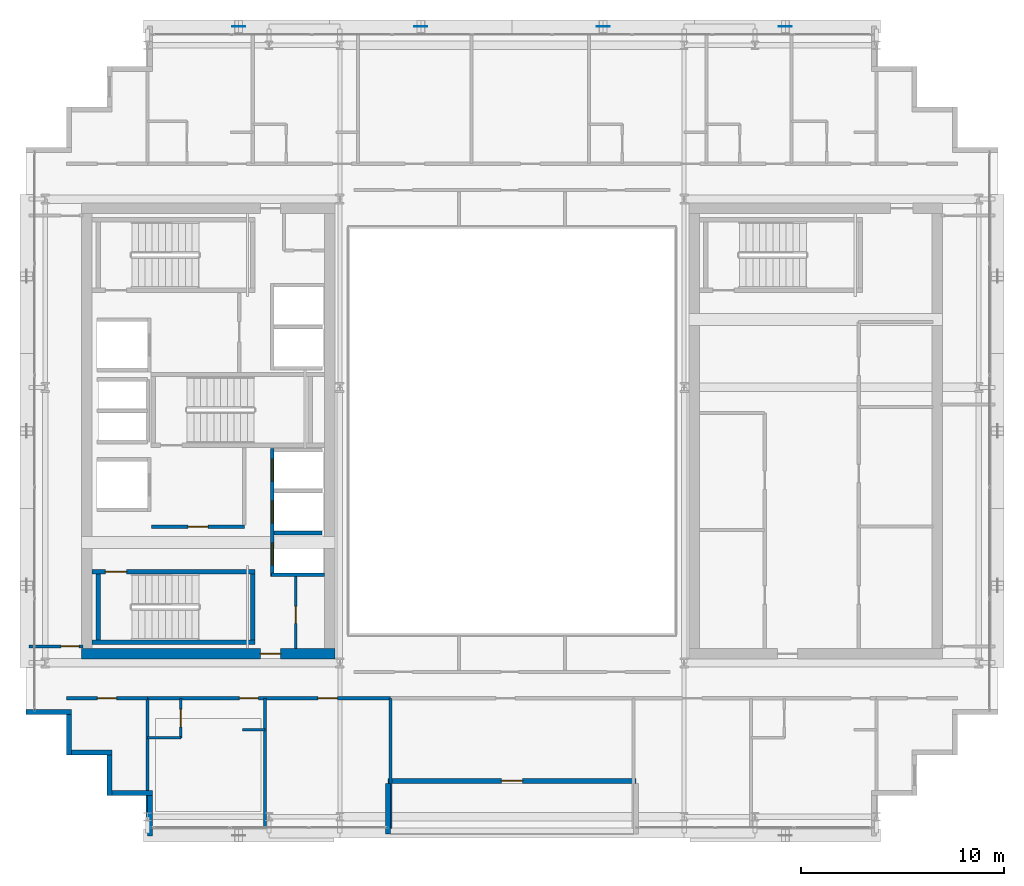
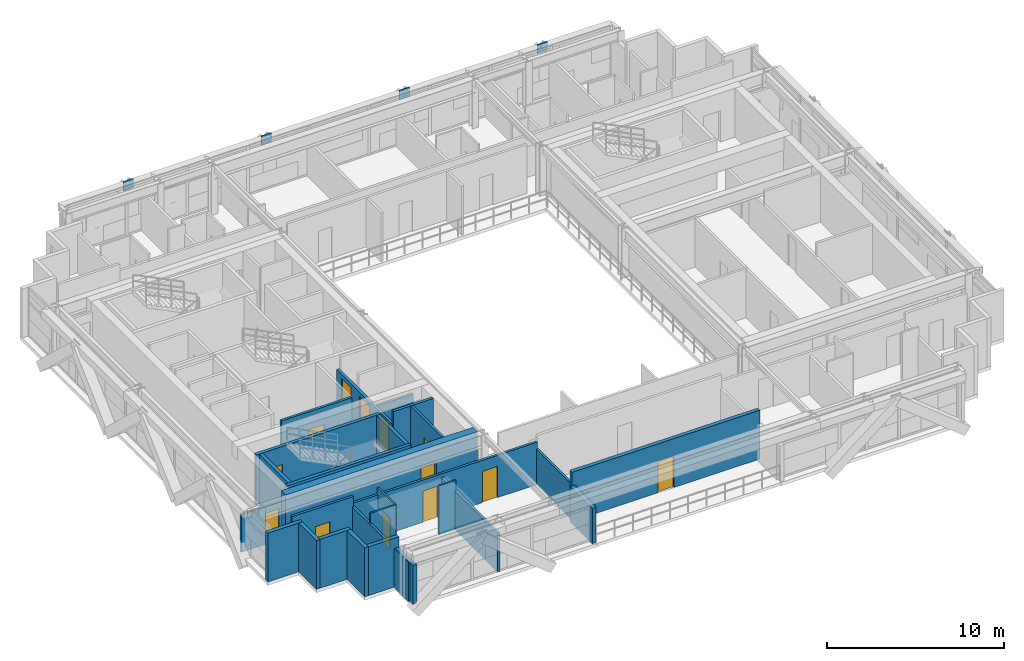
# One storey, part 23 of 31: 27 walls, 13 doors, 4 plates, 13 openings.
"""IFC4 building model written with IfcOpenShell, lengths in metres."""

from ifc_helpers import new_model, si_unit, direction, frame, frame_2d, origin, origin_2d, place, context, subcontext, project, spatial, rectangle, extrude, source, transform, mapped, material, layer, layer_set, type_object, element, fill, save


model = new_model("IFC4")

# Units and contexts
model_context = context("Model", 3, precision=1e-05, world=origin(), true_north=direction((0.0, 1.0)))
body_context = subcontext(model_context, "Body", "Model", "MODEL_VIEW")
ifc_project = project(units=[si_unit("LENGTHUNIT", "METRE"), si_unit("AREAUNIT", "SQUARE_METRE"), si_unit("VOLUMEUNIT", "CUBIC_METRE"), si_unit("PLANEANGLEUNIT", "RADIAN"), si_unit("MASSUNIT", "GRAM", prefix="KILO")], contexts=[model_context])

# Site, building, storey
site_placement = place(None, origin())
site = spatial("IfcSite", under=ifc_project, at=site_placement, CompositionType="ELEMENT")
building_placement = place(site_placement, origin())
building = spatial("IfcBuilding", under=site, at=building_placement, Name="Ocotamira Hotel", CompositionType="ELEMENT")
storey_placement = place(building_placement, frame((0.0, 0.0, 188.39990234375)))
storey = spatial("IfcBuildingStorey", under=building, at=storey_placement, Name="L47", CompositionType="ELEMENT", Elevation=188.39990234375)

# Plates
ifc_material_1 = material(Name="Pale-metal coated steel ASTM A572 Grade 50", Category="steel")
ifc_layer_1 = layer(ifc_material_1, 0.0400390625)
ifc_layer_set_1 = layer_set([ifc_layer_1], Name="Pale-metal coated steel ASTM A572 Grade 50")
plate_type = type_object("IfcPlateType", Name="PLT-GUSSET-40", PredefinedType="SHEET", material=ifc_layer_set_1)
shared_shape_1 = source(origin(), body_context, "Body", "SweptSolid", [
    extrude(rectangle(XDim=0.64990234375, YDim=0.0400390625, at=origin_2d()), origin(), (0.0, 0.0, 1.0), 0.64990234375),
])
for number, where, z_axis, x_axis, name in (
    (1, (18.5, 45.969970703125, 2.795166015625), (0.0, 0.0, 1.0), (1.0, 0.0, 0.0), "L47 Exoskeleton Diagrid N0.1 End Gusset B"),
    (2, (27.5, 45.969970703125, 2.795166015625), (0.0, 0.0, 1.0), (1.0, 0.0, 0.0), "L47 Exoskeleton Diagrid N1.1 End Gusset B"),
    (3, (36.5, 45.969970703125, 2.795166015625), (0.0, 0.0, 1.0), (1.0, 0.0, 0.0), "L47 Exoskeleton Diagrid N2.1 End Gusset B"),
    (4, (45.5, 45.969970703125, 2.795166015625), (0.0, 0.0, 1.0), (1.0, 0.0, 0.0), "L47 Exoskeleton Diagrid N3.1 End Gusset B"),
):
    element("IfcPlate", number, at=place(storey_placement, frame(where, z_axis=z_axis, x_axis=x_axis)), inside=storey, type_object=plate_type, Name=name, PredefinedType="SHEET", context=body_context, shape_type="MappedRepresentation", body=[
        mapped(shared_shape_1, transform((0.0, 0.0, 0.0), scale=1.0)),
    ])

# Wall, opening, door
ifc_material_2 = material(Name="Concrete C50/60", Category="concrete")
ifc_layer_2 = layer(ifc_material_2, 0.5)
ifc_layer_set_2 = layer_set([ifc_layer_2], Name="Concrete C50/60")
wall_type_1 = type_object("IfcWallType", Name="WL-CORE-500", PredefinedType="SHEAR", material=ifc_layer_set_2)
wall_1_placement = place(storey_placement, frame((10.75, 15.0, 0.0), z_axis=(0.0, 0.0, 1.0), x_axis=(1.0, 0.0, 0.0)))
wall_1 = element("IfcWall", 5, at=wall_1_placement, inside=storey, type_object=wall_type_1, Name="L47 Shear Core Wall WCORE-S", PredefinedType="SHEAR", context=body_context, shape_type="SweptSolid", body=[
    extrude(rectangle(XDim=12.5, YDim=0.5, at=frame_2d((6.25, 0.0))), origin(), (0.0, 0.0, 1.0), 3.3701171875),
])
opening_1_placement = place(wall_1_placement, frame((8.830078125, 0.0, 0.0)))
opening_1 = element("IfcOpeningElement", 6, at=opening_1_placement, cuts=wall_1, Name="Opening D-FR2", PredefinedType="OPENING", context=body_context, shape_type="SweptSolid", body=[
    extrude(rectangle(XDim=1.0, YDim=2.14990234375, at=frame_2d((0.5, 1.074951171875))), frame((0.0, 0.260009765625, 0.0), z_axis=(0.0, -1.0, 0.0), x_axis=(1.0, 0.0, 0.0)), (0.0, 0.0, 1.0), 0.52001953125),
])
ifc_material_3 = material(Name="Fire-rated acoustic timber-veneer door", Category="wood")
door_type_1 = type_object("IfcDoorType", Name="DR-FIRE-1000", OperationType="NOTDEFINED", PredefinedType="DOOR", material=ifc_material_3)
shared_shape_2 = source(origin(), body_context, "Body", "SweptSolid", [
    extrude(rectangle(XDim=1.0, YDim=2.14990234375, at=frame_2d((0.5, 1.074951171875))), frame((0.0, 0.02490234375, 0.0), z_axis=(0.0, -1.0, 0.0), x_axis=(1.0, 0.0, 0.0)), (0.0, 0.0, 1.0), 0.050048828125),
])
door_1_placement = place(opening_1_placement, origin())
door_1 = element("IfcDoor", 7, at=door_1_placement, inside=storey, type_object=door_type_1, Name="L47 Door ID-L47-WLOB-S-D [ID-L47-WLOB-S-D]", OperationType="SINGLE_SWING_LEFT", OverallHeight=2.14990234375, OverallWidth=1.0, PredefinedType="DOOR", context=body_context, shape_type="MappedRepresentation", body=[
    mapped(shared_shape_2, transform((0.0, 0.0, 0.0), scale=1.0)),
])
fill(opening_1, door_1)

# Walls
ifc_material_4 = material(Name="Precast concrete C45/55", Category="concrete")
ifc_layer_3 = layer(ifc_material_4, 0.25)
ifc_layer_set_3 = layer_set([ifc_layer_3], Name="Precast concrete C45/55")
wall_type_2 = type_object("IfcWallType", Name="WL-EXT-SER-250", PredefinedType="SOLIDWALL", material=ifc_layer_set_3)
wall_2_placement = place(storey_placement, frame((8.0, 12.125, 0.0), z_axis=(0.0, 0.0, 1.0), x_axis=(1.0, 0.0, 0.0)))
element("IfcWall", 8, at=wall_2_placement, inside=storey, type_object=wall_type_2, Name="L47 Serrated Corner Wall 19", PredefinedType="SOLIDWALL", context=body_context, shape_type="SweptSolid", body=[
    extrude(rectangle(XDim=2.25, YDim=0.25, at=frame_2d((1.125, 0.0))), origin(), (0.0, 0.0, 1.0), 3.3701171875),
])
for number, where, z_axis, x_axis, name in (
    (9, (10.125, 12.0, 0.0), (0.0, 0.0, 1.0), (0.0, -1.0, 0.0), "L47 Serrated Corner Wall 20"),
    (10, (10.25, 10.125, 0.0), (0.0, 0.0, 1.0), (1.0, 0.0, 0.0), "L47 Serrated Corner Wall 21"),
    (11, (12.125, 10.0, 0.0), (0.0, 0.0, 1.0), (0.0, -1.0, 0.0), "L47 Serrated Corner Wall 22"),
    (12, (12.25, 8.125, 0.0), (0.0, 0.0, 1.0), (1.0, 0.0, 0.0), "L47 Serrated Corner Wall 23"),
):
    element("IfcWall", number, at=place(storey_placement, frame(where, z_axis=z_axis, x_axis=x_axis)), inside=storey, type_object=wall_type_2, Name=name, PredefinedType="SOLIDWALL", context=body_context, shape_type="SweptSolid", body=[
        extrude(rectangle(XDim=2.0, YDim=0.25, at=frame_2d((1.0, 0.0))), origin(), (0.0, 0.0, 1.0), 3.3701171875),
    ])
wall_3_placement = place(storey_placement, frame((14.125, 8.0, 0.0), z_axis=(0.0, 0.0, 1.0), x_axis=(0.0, -1.0, 0.0)))
element("IfcWall", 13, at=wall_3_placement, inside=storey, type_object=wall_type_2, Name="L47 Serrated Corner Wall 24", PredefinedType="SOLIDWALL", context=body_context, shape_type="SweptSolid", body=[
    extrude(rectangle(XDim=2.0, YDim=0.25, at=frame_2d((1.0, 0.0))), origin(), (0.0, 0.0, 1.0), 2.677001953125),
])

# Wall, opening, door
wall_4_placement = place(storey_placement, frame((25.875, 8.72509765625, 0.0), z_axis=(0.0, 0.0, 1.0), x_axis=(1.0, 0.0, 0.0)))
wall_4 = element("IfcWall", 14, at=wall_4_placement, inside=storey, type_object=wall_type_2, Name="L47 Sky Terrace Back Wall 1", PredefinedType="SOLIDWALL", context=body_context, shape_type="SweptSolid", body=[
    extrude(rectangle(XDim=12.25, YDim=0.25, at=frame_2d((6.125, 0.0))), origin(), (0.0, 0.0, 1.0), 3.3701171875),
])
opening_2_placement = place(wall_4_placement, frame((5.60009765625, 0.0, 0.0)))
opening_2 = element("IfcOpeningElement", 15, at=opening_2_placement, cuts=wall_4, Name="Opening ED-3", PredefinedType="OPENING", context=body_context, shape_type="SweptSolid", body=[
    extrude(rectangle(XDim=1.050048828125, YDim=2.14990234375, at=frame_2d((0.52490234375, 1.074951171875))), frame((0.0, 0.135009765625, 0.0), z_axis=(0.0, -1.0, 0.0), x_axis=(1.0, 0.0, 0.0)), (0.0, 0.0, 1.0), 0.27001953125),
])
ifc_material_5 = material(Name="Thermally broken aluminium glazed door", Category="aluminium")
door_type_2 = type_object("IfcDoorType", Name="DR-TERR-1050", OperationType="NOTDEFINED", PredefinedType="DOOR", material=ifc_material_5)
shared_shape_3 = source(origin(), body_context, "Body", "SweptSolid", [
    extrude(rectangle(XDim=1.050048828125, YDim=2.14990234375, at=frame_2d((0.52490234375, 1.074951171875))), frame((0.0, 0.02490234375, 0.0), z_axis=(0.0, -1.0, 0.0), x_axis=(1.0, 0.0, 0.0)), (0.0, 0.0, 1.0), 0.050048828125),
])
door_2_placement = place(opening_2_placement, origin())
door_2 = element("IfcDoor", 16, at=door_2_placement, inside=storey, type_object=door_type_2, Name="L47 Sky Terrace Access Door 1 [ED-BAL-L47-1]", OperationType="SINGLE_SWING_LEFT", OverallHeight=2.14990234375, OverallWidth=1.050048828125, PredefinedType="DOOR", context=body_context, shape_type="MappedRepresentation", body=[
    mapped(shared_shape_3, transform((0.0, 0.0, 0.0), scale=1.0)),
])
fill(opening_2, door_2)

# Wall
wall_5_placement = place(storey_placement, frame((25.875, 6.10009765625, 0.0), z_axis=(0.0, 0.0, 1.0), x_axis=(0.0, 1.0, 0.0)))
element("IfcWall", 17, at=wall_5_placement, inside=storey, type_object=wall_type_2, Name="L47 Sky Terrace Return Wall 1L", PredefinedType="SOLIDWALL", context=body_context, shape_type="SweptSolid", body=[
    extrude(rectangle(XDim=2.5, YDim=0.25, at=frame_2d((1.25, 0.0))), origin(), (0.0, 0.0, 1.0), 2.443115234375),
])

# Wall, opening, door
ifc_material_6 = material(Name="Acoustic double-layer fire gypsum board partition", Category="gypsum")
ifc_layer_4 = layer(ifc_material_6, 0.159912109375)
ifc_layer_set_4 = layer_set([ifc_layer_4], Name="Acoustic double-layer fire gypsum board partition")
wall_type_3 = type_object("IfcWallType", Name="WL-FIRE-160", PredefinedType="PARTITIONING", material=ifc_layer_set_4)
wall_6_placement = place(storey_placement, frame((14.199951171875, 21.27001953125, 0.0), z_axis=(0.0, 0.0, 1.0), x_axis=(1.0, 0.0, 0.0)))
wall_6 = element("IfcWall", 18, at=wall_6_placement, inside=storey, type_object=wall_type_3, Name="L47 Interior Wall PW-L47-FSAE1-S", PredefinedType="PARTITIONING", context=body_context, shape_type="SweptSolid", body=[
    extrude(rectangle(XDim=4.580078125, YDim=0.159912109375, at=frame_2d((2.2900390625, 0.0))), origin(), (0.0, 0.0, 1.0), 3.3701171875),
])
opening_3_placement = place(wall_6_placement, frame((1.800048828125, 0.0, 0.0)))
opening_3 = element("IfcOpeningElement", 19, at=opening_3_placement, cuts=wall_6, Name="Opening D-FR2", PredefinedType="OPENING", context=body_context, shape_type="SweptSolid", body=[
    extrude(rectangle(XDim=1.0, YDim=2.14990234375, at=frame_2d((0.5, 1.074951171875))), frame((0.0, 0.08984375, 0.0), z_axis=(0.0, -1.0, 0.0), x_axis=(1.0, 0.0, 0.0)), (0.0, 0.0, 1.0), 0.179931640625),
])
door_3_placement = place(opening_3_placement, origin())
door_3 = element("IfcDoor", 20, at=door_3_placement, inside=storey, type_object=door_type_1, Name="L47 Door ID-L47-FSAE1-D [ID-L47-FSAE1-D]", OperationType="SINGLE_SWING_LEFT", OverallHeight=2.14990234375, OverallWidth=1.0, PredefinedType="DOOR", context=body_context, shape_type="MappedRepresentation", body=[
    mapped(shared_shape_2, transform((0.0, 0.0, 0.0), scale=1.0)),
])
fill(opening_3, door_3)

wall_7_placement = place(storey_placement, frame((10.0, 12.800048828125, 0.0), z_axis=(0.0, 0.0, 1.0), x_axis=(1.0, 0.0, 0.0)))
wall_7 = element("IfcWall", 21, at=wall_7_placement, inside=storey, type_object=wall_type_3, Name="L47 Interior Wall PW-L47-Z3C-CSW-CW", PredefinedType="PARTITIONING", context=body_context, shape_type="SweptSolid", body=[
    extrude(rectangle(XDim=4.0, YDim=0.159912109375, at=frame_2d((2.0, 0.0))), origin(), (0.0, 0.0, 1.0), 3.3701171875),
])
opening_4_placement = place(wall_7_placement, frame((1.52001953125, 0.0, 0.0)))
opening_4 = element("IfcOpeningElement", 22, at=opening_4_placement, cuts=wall_7, Name="Opening D-SV4", PredefinedType="OPENING", context=body_context, shape_type="SweptSolid", body=[
    extrude(rectangle(XDim=0.9599609375, YDim=2.14990234375, at=frame_2d((0.47998046875, 1.074951171875))), frame((0.0, 0.08984375, 0.0), z_axis=(0.0, -1.0, 0.0), x_axis=(1.0, 0.0, 0.0)), (0.0, 0.0, 1.0), 0.179931640625),
])
ifc_material_7 = material(Name="Fire-rated accessible walnut salon door", Category="wood")
door_type_3 = type_object("IfcDoorType", Name="DR-SERV-960", OperationType="NOTDEFINED", PredefinedType="DOOR", material=ifc_material_7)
shared_shape_4 = source(origin(), body_context, "Body", "SweptSolid", [
    extrude(rectangle(XDim=0.9599609375, YDim=2.14990234375, at=frame_2d((0.47998046875, 1.074951171875))), frame((0.0, 0.02490234375, 0.0), z_axis=(0.0, -1.0, 0.0), x_axis=(1.0, 0.0, 0.0)), (0.0, 0.0, 1.0), 0.050048828125),
])
door_4_placement = place(opening_4_placement, origin())
door_4 = element("IfcDoor", 23, at=door_4_placement, inside=storey, type_object=door_type_3, Name="L47 Door ID-L47-Z3C-CSW-CD [ID-L47-Z3C-CSW-CD]", OperationType="SINGLE_SWING_LEFT", OverallHeight=2.14990234375, OverallWidth=0.9599609375, PredefinedType="DOOR", context=body_context, shape_type="MappedRepresentation", body=[
    mapped(shared_shape_4, transform((0.0, 0.0, 0.0), scale=1.0)),
])
fill(opening_4, door_4)

# Wall, openings, doors
wall_8_placement = place(storey_placement, frame((14.0, 12.800048828125, 0.0), z_axis=(0.0, 0.0, 1.0), x_axis=(1.0, 0.0, 0.0)))
wall_8 = element("IfcWall", 24, at=wall_8_placement, inside=storey, type_object=wall_type_3, Name="L47 Interior Wall PW-L47-Z3CSW-CORRW", PredefinedType="PARTITIONING", context=body_context, shape_type="SweptSolid", body=[
    extrude(rectangle(XDim=12.0, YDim=0.159912109375, at=frame_2d((6.0, 0.0))), origin(), (0.0, 0.0, 1.0), 2.9130859375),
])
opening_5_placement = place(wall_8_placement, frame((4.5400390625, 0.0, 0.0)))
opening_5 = element("IfcOpeningElement", 25, at=opening_5_placement, cuts=wall_8, Name="Opening D-GR1", PredefinedType="OPENING", context=body_context, shape_type="SweptSolid", body=[
    extrude(rectangle(XDim=0.93994140625, YDim=2.14990234375, at=frame_2d((0.469970703125, 1.074951171875))), frame((0.0, 0.08984375, 0.0), z_axis=(0.0, -1.0, 0.0), x_axis=(1.0, 0.0, 0.0)), (0.0, 0.0, 1.0), 0.179931640625),
])
opening_6_placement = place(wall_8_placement, frame((8.419921875, 0.0, 0.0)))
opening_6 = element("IfcOpeningElement", 26, at=opening_6_placement, cuts=wall_8, Name="Opening D-SV4", PredefinedType="OPENING", context=body_context, shape_type="SweptSolid", body=[
    extrude(rectangle(XDim=0.9599609375, YDim=2.14990234375, at=frame_2d((0.47998046875, 1.074951171875))), frame((0.0, 0.08984375, 0.0), z_axis=(0.0, -1.0, 0.0), x_axis=(1.0, 0.0, 0.0)), (0.0, 0.0, 1.0), 0.179931640625),
])
door_5_placement = place(opening_6_placement, origin())
door_5 = element("IfcDoor", 27, at=door_5_placement, inside=storey, type_object=door_type_3, Name="L47 Door ID-L47-Z3CSW-AMD2 [ID-L47-Z3CSW-AMD2]", OperationType="SINGLE_SWING_RIGHT", OverallHeight=2.14990234375, OverallWidth=0.9599609375, PredefinedType="DOOR", context=body_context, shape_type="MappedRepresentation", body=[
    mapped(shared_shape_4, transform((0.0, 0.0, 0.0), scale=1.0)),
])
fill(opening_6, door_5)
ifc_material_8 = material(Name="Solid-core walnut suite entrance fire door", Category="wood")
door_type_4 = type_object("IfcDoorType", Name="DR-GUEST-940", OperationType="NOTDEFINED", PredefinedType="DOOR", material=ifc_material_8)
shared_shape_5 = source(origin(), body_context, "Body", "SweptSolid", [
    extrude(rectangle(XDim=0.93994140625, YDim=2.14990234375, at=frame_2d((0.469970703125, 1.074951171875))), frame((0.0, 0.02490234375, 0.0), z_axis=(0.0, -1.0, 0.0), x_axis=(1.0, 0.0, 0.0)), (0.0, 0.0, 1.0), 0.050048828125),
])
door_6_placement = place(opening_5_placement, origin())
door_6 = element("IfcDoor", 28, at=door_6_placement, inside=storey, type_object=door_type_4, Name="L47 Door ID-L47-Z3CSW-RMD1 [ID-L47-Z3CSW-RMD1]", OperationType="SINGLE_SWING_LEFT", OverallHeight=2.14990234375, OverallWidth=0.93994140625, PredefinedType="DOOR", context=body_context, shape_type="MappedRepresentation", body=[
    mapped(shared_shape_5, transform((0.0, 0.0, 0.0), scale=1.0)),
])
fill(opening_5, door_6)

# Wall, opening, door
ifc_material_9 = material(Name="Moisture-resistant en-suite tile and gypsum partition", Category="gypsum")
ifc_layer_5 = layer(ifc_material_9, 0.1201171875)
ifc_layer_set_5 = layer_set([ifc_layer_5], Name="Moisture-resistant en-suite tile and gypsum partition")
wall_type_4 = type_object("IfcWallType", Name="WL-PART-120", PredefinedType="PARTITIONING", material=ifc_layer_set_5)
wall_9_placement = place(storey_placement, frame((15.64990234375, 10.85009765625, 0.0), z_axis=(0.0, 0.0, 1.0), x_axis=(0.0, 1.0, 0.0)))
wall_9 = element("IfcWall", 29, at=wall_9_placement, inside=storey, type_object=wall_type_4, Name="L47 Interior Wall PW-L47-Z3CSW-BAE1", PredefinedType="PARTITIONING", context=body_context, shape_type="SweptSolid", body=[
    extrude(rectangle(XDim=1.949951171875, YDim=0.1201171875, at=frame_2d((0.97509765625, 0.0))), origin(), (0.0, 0.0, 1.0), 3.3701171875),
])
opening_7_placement = place(wall_9_placement, frame((0.544921875, 0.0, 0.0)))
opening_7 = element("IfcOpeningElement", 30, at=opening_7_placement, cuts=wall_9, Name="Opening D-BA1", PredefinedType="OPENING", context=body_context, shape_type="SweptSolid", body=[
    extrude(rectangle(XDim=0.860107421875, YDim=2.10009765625, at=frame_2d((0.43017578125, 1.050048828125))), frame((0.0, 0.070068359375, 0.0), z_axis=(0.0, -1.0, 0.0), x_axis=(1.0, 0.0, 0.0)), (0.0, 0.0, 1.0), 0.14013671875),
])
ifc_material_10 = material(Name="Moisture-sealed en-suite timber door", Category="wood")
door_type_5 = type_object("IfcDoorType", Name="DR-BATH-860", OperationType="NOTDEFINED", PredefinedType="DOOR", material=ifc_material_10)
shared_shape_6 = source(origin(), body_context, "Body", "SweptSolid", [
    extrude(rectangle(XDim=0.860107421875, YDim=2.10009765625, at=frame_2d((0.43017578125, 1.050048828125))), frame((0.0, 0.02490234375, 0.0), z_axis=(0.0, -1.0, 0.0), x_axis=(1.0, 0.0, 0.0)), (0.0, 0.0, 1.0), 0.050048828125),
])
door_7_placement = place(opening_7_placement, origin())
door_7 = element("IfcDoor", 31, at=door_7_placement, inside=storey, type_object=door_type_5, Name="L47 Door ID-L47-Z3CSW-BAD1 [ID-L47-Z3CSW-BAD1]", OperationType="SINGLE_SWING_RIGHT", OverallHeight=2.10009765625, OverallWidth=0.860107421875, PredefinedType="DOOR", context=body_context, shape_type="MappedRepresentation", body=[
    mapped(shared_shape_6, transform((0.0, 0.0, 0.0), scale=1.0)),
])
fill(opening_7, door_7)

# Walls
wall_10_placement = place(storey_placement, frame((14.0, 10.85009765625, 0.0), z_axis=(0.0, 0.0, 1.0), x_axis=(1.0, 0.0, 0.0)))
element("IfcWall", 32, at=wall_10_placement, inside=storey, type_object=wall_type_4, Name="L47 Interior Wall PW-L47-Z3CSW-BAS1", PredefinedType="PARTITIONING", context=body_context, shape_type="SweptSolid", body=[
    extrude(rectangle(XDim=1.64990234375, YDim=0.1201171875, at=frame_2d((0.824951171875, 0.0))), origin(), (0.0, 0.0, 1.0), 3.3701171875),
])
wall_11_placement = place(storey_placement, frame((18.699951171875, 11.25, 0.0), z_axis=(0.0, 0.0, 1.0), x_axis=(1.0, 0.0, 0.0)))
element("IfcWall", 33, at=wall_11_placement, inside=storey, type_object=wall_type_4, Name="L47 Interior Wall PW-L47-Z3CSW-DRN1", PredefinedType="PARTITIONING", context=body_context, shape_type="SweptSolid", body=[
    extrude(rectangle(XDim=1.10009765625, YDim=0.1201171875, at=frame_2d((0.550048828125, 0.0))), origin(), (0.0, 0.0, 1.0), 3.3701171875),
])

# Wall, opening, door
ifc_material_11 = material(Name="Acoustic hospitality gypsum board partition", Category="gypsum")
ifc_layer_6 = layer(ifc_material_11, 0.14208984375)
ifc_layer_set_6 = layer_set([ifc_layer_6], Name="Acoustic hospitality gypsum board partition")
wall_type_5 = type_object("IfcWallType", Name="WL-PART-142", PredefinedType="PARTITIONING", material=ifc_layer_set_6)
wall_12_placement = place(storey_placement, frame((21.320068359375, 15.25, 0.0), z_axis=(0.0, 0.0, 1.0), x_axis=(0.0, 1.0, 0.0)))
wall_12 = element("IfcWall", 34, at=wall_12_placement, inside=storey, type_object=wall_type_5, Name="L47 Interior Wall PW-L47-WC-SE-W", PredefinedType="PARTITIONING", context=body_context, shape_type="SweptSolid", body=[
    extrude(rectangle(XDim=3.590087890625, YDim=0.14208984375, at=frame_2d((1.794921875, 0.0))), origin(), (0.0, 0.0, 1.0), 3.3701171875),
])
opening_8_placement = place(wall_12_placement, frame((1.25, 0.0, 0.0)))
opening_8 = element("IfcOpeningElement", 35, at=opening_8_placement, cuts=wall_12, Name="Opening D-SV1", PredefinedType="OPENING", context=body_context, shape_type="SweptSolid", body=[
    extrude(rectangle(XDim=0.840087890625, YDim=2.10009765625, at=frame_2d((0.419921875, 1.050048828125))), frame((0.0, 0.0810546875, 0.0), z_axis=(0.0, -1.0, 0.0), x_axis=(1.0, 0.0, 0.0)), (0.0, 0.0, 1.0), 0.162109375),
])
ifc_material_12 = material(Name="Fire-rated painted steel service door", Category="steel")
door_type_6 = type_object("IfcDoorType", Name="DR-SERV-840", OperationType="NOTDEFINED", PredefinedType="DOOR", material=ifc_material_12)
shared_shape_7 = source(origin(), body_context, "Body", "SweptSolid", [
    extrude(rectangle(XDim=0.840087890625, YDim=2.10009765625, at=frame_2d((0.419921875, 1.050048828125))), frame((0.0, 0.02490234375, 0.0), z_axis=(0.0, -1.0, 0.0), x_axis=(1.0, 0.0, 0.0)), (0.0, 0.0, 1.0), 0.050048828125),
])
door_8_placement = place(opening_8_placement, origin())
door_8 = element("IfcDoor", 36, at=door_8_placement, inside=storey, type_object=door_type_6, Name="L47 Door ID-L47-WC-SE-D [ID-L47-WC-SE-D]", OperationType="SINGLE_SWING_RIGHT", OverallHeight=2.10009765625, OverallWidth=0.840087890625, PredefinedType="DOOR", context=body_context, shape_type="MappedRepresentation", body=[
    mapped(shared_shape_7, transform((0.0, 0.0, 0.0), scale=1.0)),
])
fill(opening_8, door_8)

ifc_layer_7 = layer(ifc_material_11, 0.14990234375)
ifc_layer_set_7 = layer_set([ifc_layer_7], Name="Acoustic hospitality gypsum board partition")
wall_type_6 = type_object("IfcWallType", Name="WL-PART-150", PredefinedType="PARTITIONING", material=ifc_layer_set_7)
wall_13_placement = place(storey_placement, frame((8.159912109375, 15.360107421875, 0.0), z_axis=(0.0, 0.0, 1.0), x_axis=(1.0, 0.0, 0.0)))
wall_13 = element("IfcWall", 37, at=wall_13_placement, inside=storey, type_object=wall_type_6, Name="L47 Interior Wall PW-L47-Z3C-WF-WS", PredefinedType="PARTITIONING", context=body_context, shape_type="SweptSolid", body=[
    extrude(rectangle(XDim=2.66015625, YDim=0.14990234375, at=frame_2d((1.330078125, 0.0))), origin(), (0.0, 0.0, 1.0), 2.591064453125),
])
opening_9_placement = place(wall_13_placement, frame((1.580078125, 0.0, 0.0)))
opening_9 = element("IfcOpeningElement", 38, at=opening_9_placement, cuts=wall_13, Name="Opening D-SV2", PredefinedType="OPENING", context=body_context, shape_type="SweptSolid", body=[
    extrude(rectangle(XDim=0.8798828125, YDim=2.14990234375, at=frame_2d((0.43994140625, 1.074951171875))), frame((0.0, 0.0849609375, 0.0), z_axis=(0.0, -1.0, 0.0), x_axis=(1.0, 0.0, 0.0)), (0.0, 0.0, 1.0), 0.169921875),
])
door_type_7 = type_object("IfcDoorType", Name="DR-SERV-880", OperationType="NOTDEFINED", PredefinedType="DOOR", material=ifc_material_12)
shared_shape_8 = source(origin(), body_context, "Body", "SweptSolid", [
    extrude(rectangle(XDim=0.8798828125, YDim=2.14990234375, at=frame_2d((0.43994140625, 1.074951171875))), frame((0.0, 0.02490234375, 0.0), z_axis=(0.0, -1.0, 0.0), x_axis=(1.0, 0.0, 0.0)), (0.0, 0.0, 1.0), 0.050048828125),
])
door_9_placement = place(opening_9_placement, origin())
door_9 = element("IfcDoor", 39, at=door_9_placement, inside=storey, type_object=door_type_7, Name="L47 Door ID-L47-Z3C-WF-DS [ID-L47-Z3C-WF-DS]", OperationType="SINGLE_SWING_LEFT", OverallHeight=2.14990234375, OverallWidth=0.8798828125, PredefinedType="DOOR", context=body_context, shape_type="MappedRepresentation", body=[
    mapped(shared_shape_8, transform((0.0, 0.0, 0.0), scale=1.0)),
])
fill(opening_9, door_9)

# Walls
ifc_material_13 = material(Name="Acoustic double-stud hospitality gypsum partition", Category="gypsum")
ifc_layer_8 = layer(ifc_material_13, 0.159912109375)
ifc_layer_set_8 = layer_set([ifc_layer_8], Name="Acoustic double-stud hospitality gypsum partition")
wall_type_7 = type_object("IfcWallType", Name="WL-PART-160", PredefinedType="PARTITIONING", material=ifc_layer_set_8)
wall_14_placement = place(storey_placement, frame((14.0, 6.360107421875, 0.0), z_axis=(0.0, 0.0, 1.0), x_axis=(0.0, 1.0, 0.0)))
element("IfcWall", 40, at=wall_14_placement, inside=storey, type_object=wall_type_7, Name="L47 Interior Wall PW-L47-Z3CSW-PW0", PredefinedType="PARTITIONING", context=body_context, shape_type="SweptSolid", body=[
    extrude(rectangle(XDim=6.43994140625, YDim=0.159912109375, at=frame_2d((3.219970703125, 0.0))), origin(), (0.0, 0.0, 1.0), 2.677001953125),
])
wall_15_placement = place(storey_placement, frame((26.0, 6.360107421875, 0.0), z_axis=(0.0, 0.0, 1.0), x_axis=(0.0, 1.0, 0.0)))
element("IfcWall", 41, at=wall_15_placement, inside=storey, type_object=wall_type_7, Name="L47 Interior Wall PW-L47-Z3CSW-PWEND", PredefinedType="PARTITIONING", context=body_context, shape_type="SweptSolid", body=[
    extrude(rectangle(XDim=6.43994140625, YDim=0.159912109375, at=frame_2d((3.219970703125, 0.0))), origin(), (0.0, 0.0, 1.0), 2.443115234375),
])
wall_16_placement = place(storey_placement, frame((19.800048828125, 6.360107421875, 0.0), z_axis=(0.0, 0.0, 1.0), x_axis=(0.0, 1.0, 0.0)))
element("IfcWall", 42, at=wall_16_placement, inside=storey, type_object=wall_type_7, Name="L47 Interior Wall PW-L47-Z3CSW-PW1", PredefinedType="PARTITIONING", context=body_context, shape_type="SweptSolid", body=[
    extrude(rectangle(XDim=6.43994140625, YDim=0.159912109375, at=frame_2d((3.219970703125, 0.0))), origin(), (0.0, 0.0, 1.0), 2.677001953125),
])

# Wall, openings, doors
ifc_material_14 = material(Name="Fire-rated gypsum shaftliner board assembly", Category="gypsum")
ifc_layer_9 = layer(ifc_material_14, 0.179931640625)
ifc_layer_set_9 = layer_set([ifc_layer_9], Name="Fire-rated gypsum shaftliner board assembly")
wall_type_8 = type_object("IfcWallType", Name="WL-SHAFT-180", PredefinedType="SOLIDWALL", material=ifc_layer_set_9)
wall_17_placement = place(storey_placement, frame((20.159912109375, 18.820068359375, 0.0), z_axis=(0.0, 0.0, 1.0), x_axis=(0.0, 1.0, 0.0)))
wall_17 = element("IfcWall", 43, at=wall_17_placement, inside=storey, type_object=wall_type_8, Name="L47 Interior Wall PW-L47-LFW-BANK-high-F", PredefinedType="SOLIDWALL", context=body_context, shape_type="SweptSolid", body=[
    extrude(rectangle(XDim=6.31982421875, YDim=0.179931640625, at=frame_2d((3.159912109375, 0.0))), origin(), (0.0, 0.0, 1.0), 2.47021484375),
])
opening_10_placement = place(wall_17_placement, frame((0.554931640625, 0.0, 0.0)))
opening_10 = element("IfcOpeningElement", 44, at=opening_10_placement, cuts=wall_17, Name="Opening LD-LF-P7", PredefinedType="OPENING", context=body_context, shape_type="SweptSolid", body=[
    extrude(rectangle(XDim=1.10009765625, YDim=2.199951171875, at=frame_2d((0.550048828125, 1.10009765625))), frame((0.0, 0.10009765625, 0.0), z_axis=(0.0, -1.0, 0.0), x_axis=(1.0, 0.0, 0.0)), (0.0, 0.0, 1.0), 0.199951171875),
])
opening_11_placement = place(wall_17_placement, frame((2.635009765625, 0.0, 0.0)))
opening_11 = element("IfcOpeningElement", 45, at=opening_11_placement, cuts=wall_17, Name="Opening LD-LF-P8", PredefinedType="OPENING", context=body_context, shape_type="SweptSolid", body=[
    extrude(rectangle(XDim=1.10009765625, YDim=2.199951171875, at=frame_2d((0.550048828125, 1.10009765625))), frame((0.0, 0.10009765625, 0.0), z_axis=(0.0, -1.0, 0.0), x_axis=(1.0, 0.0, 0.0)), (0.0, 0.0, 1.0), 0.199951171875),
])
opening_12_placement = place(wall_17_placement, frame((4.68994140625, 0.0, 0.0)))
opening_12 = element("IfcOpeningElement", 46, at=opening_12_placement, cuts=wall_17, Name="Opening LD-LF-P9", PredefinedType="OPENING", context=body_context, shape_type="SweptSolid", body=[
    extrude(rectangle(XDim=1.10009765625, YDim=2.199951171875, at=frame_2d((0.550048828125, 1.10009765625))), frame((0.0, 0.10009765625, 0.0), z_axis=(0.0, -1.0, 0.0), x_axis=(1.0, 0.0, 0.0)), (0.0, 0.0, 1.0), 0.199951171875),
])
ifc_material_15 = material(Name="Brushed pale-metal stainless elevator landing door", Category="steel")
door_type_8 = type_object("IfcDoorType", Name="DR-LIFT-1100", OperationType="NOTDEFINED", PredefinedType="DOOR", material=ifc_material_15)
shared_shape_9 = source(origin(), body_context, "Body", "SweptSolid", [
    extrude(rectangle(XDim=1.10009765625, YDim=2.199951171875, at=frame_2d((0.550048828125, 1.10009765625))), frame((0.0, 0.02490234375, 0.0), z_axis=(0.0, -1.0, 0.0), x_axis=(1.0, 0.0, 0.0)), (0.0, 0.0, 1.0), 0.050048828125),
])
door_10_placement = place(opening_10_placement, origin())
door_10 = element("IfcDoor", 47, at=door_10_placement, inside=storey, type_object=door_type_8, Name="L47 Landing Door LD-LF-P7 [ID-L47-LD-LF-P7]", OperationType="DOUBLE_DOOR_SLIDING", OverallHeight=2.199951171875, OverallWidth=1.10009765625, PredefinedType="DOOR", context=body_context, shape_type="MappedRepresentation", body=[
    mapped(shared_shape_9, transform((0.0, 0.0, 0.0), scale=1.0)),
])
fill(opening_10, door_10)
door_11_placement = place(opening_11_placement, origin())
door_11 = element("IfcDoor", 48, at=door_11_placement, inside=storey, type_object=door_type_8, Name="L47 Landing Door LD-LF-P8 [ID-L47-LD-LF-P8]", OperationType="DOUBLE_DOOR_SLIDING", OverallHeight=2.199951171875, OverallWidth=1.10009765625, PredefinedType="DOOR", context=body_context, shape_type="MappedRepresentation", body=[
    mapped(shared_shape_9, transform((0.0, 0.0, 0.0), scale=1.0)),
])
fill(opening_11, door_11)
door_12_placement = place(opening_12_placement, origin())
door_12 = element("IfcDoor", 49, at=door_12_placement, inside=storey, type_object=door_type_8, Name="L47 Landing Door LD-LF-P9 [ID-L47-LD-LF-P9]", OperationType="DOUBLE_DOOR_SLIDING", OverallHeight=2.199951171875, OverallWidth=1.10009765625, PredefinedType="DOOR", context=body_context, shape_type="MappedRepresentation", body=[
    mapped(shared_shape_9, transform((0.0, 0.0, 0.0), scale=1.0)),
])
fill(opening_12, door_12)

# Walls
wall_18_placement = place(storey_placement, frame((20.1201171875, 18.909912109375, 0.0), z_axis=(0.0, 0.0, 1.0), x_axis=(1.0, 0.0, 0.0)))
element("IfcWall", 50, at=wall_18_placement, inside=storey, type_object=wall_type_8, Name="L47 Interior Wall PW-L47-LFW-BANK-high-S", PredefinedType="SOLIDWALL", context=body_context, shape_type="SweptSolid", body=[
    extrude(rectangle(XDim=2.6298828125, YDim=0.179931640625, at=frame_2d((1.31494140625, 0.0))), origin(), (0.0, 0.0, 1.0), 3.3701171875),
])
wall_19_placement = place(storey_placement, frame((20.25, 20.965087890625, 0.0), z_axis=(0.0, 0.0, 1.0), x_axis=(1.0, 0.0, 0.0)))
element("IfcWall", 51, at=wall_19_placement, inside=storey, type_object=wall_type_8, Name="L47 Interior Wall PW-L47-LFW-DIV-LF-P7", PredefinedType="SOLIDWALL", context=body_context, shape_type="SweptSolid", body=[
    extrude(rectangle(XDim=2.360107421875, YDim=0.179931640625, at=frame_2d((1.18017578125, 0.0))), origin(), (0.0, 0.0, 1.0), 2.47021484375),
])
ifc_layer_10 = layer(ifc_material_2, 0.219970703125)
ifc_layer_set_10 = layer_set([ifc_layer_10], Name="Concrete C50/60")
wall_type_9 = type_object("IfcWallType", Name="WL-STAIR-220", PredefinedType="SHEAR", material=ifc_layer_set_10)
wall_20_placement = place(storey_placement, frame((11.25, 15.56005859375, 0.0), z_axis=(0.0, 0.0, 1.0), x_axis=(1.0, 0.0, 0.0)))
element("IfcWall", 52, at=wall_20_placement, inside=storey, type_object=wall_type_9, Name="L47 Stair Shaft Structural Wall ST-1-S", PredefinedType="SHEAR", context=body_context, shape_type="SweptSolid", body=[
    extrude(rectangle(XDim=8.06005859375, YDim=0.219970703125, at=frame_2d((4.030029296875, 0.0))), origin(), (0.0, 0.0, 1.0), 3.400146484375),
])

# Wall, opening, door
wall_21_placement = place(storey_placement, frame((11.25, 19.06005859375, 0.0), z_axis=(0.0, 0.0, 1.0), x_axis=(1.0, 0.0, 0.0)))
wall_21 = element("IfcWall", 53, at=wall_21_placement, inside=storey, type_object=wall_type_9, Name="L47 Stair Shaft Structural Wall ST-1-N", PredefinedType="SHEAR", context=body_context, shape_type="SweptSolid", body=[
    extrude(rectangle(XDim=8.06005859375, YDim=0.219970703125, at=frame_2d((4.030029296875, 0.0))), origin(), (0.0, 0.0, 1.0), 3.400146484375),
])
opening_13_placement = place(wall_21_placement, frame((0.669921875, 0.0, 0.0)))
opening_13 = element("IfcOpeningElement", 54, at=opening_13_placement, cuts=wall_21, Name="Opening D-ST2", PredefinedType="OPENING", context=body_context, shape_type="SweptSolid", body=[
    extrude(rectangle(XDim=1.050048828125, YDim=2.14990234375, at=frame_2d((0.52490234375, 1.074951171875))), frame((0.0, 0.1201171875, 0.0), z_axis=(0.0, -1.0, 0.0), x_axis=(1.0, 0.0, 0.0)), (0.0, 0.0, 1.0), 0.239990234375),
])
ifc_material_16 = material(Name="Insulated painted hollow-metal fire exit door", Category="steel")
door_type_9 = type_object("IfcDoorType", Name="DR-STAIR-1050", OperationType="NOTDEFINED", PredefinedType="DOOR", material=ifc_material_16)
door_13_placement = place(opening_13_placement, origin())
door_13 = element("IfcDoor", 55, at=door_13_placement, inside=storey, type_object=door_type_9, Name="L47 Door ID-L47-STD-ST-1 [ID-L47-STD-ST-1]", OperationType="SINGLE_SWING_RIGHT", OverallHeight=2.14990234375, OverallWidth=1.050048828125, PredefinedType="DOOR", context=body_context, shape_type="MappedRepresentation", body=[
    mapped(shared_shape_3, transform((0.0, 0.0, 0.0), scale=1.0)),
])
fill(opening_13, door_13)

# Walls
for number, where, z_axis, x_axis, name in (
    (56, (11.56005859375, 15.669921875, 0.0), (0.0, 0.0, 1.0), (0.0, 1.0, 0.0), "L47 Stair Shaft Structural Wall ST-1-W"),
    (57, (19.199951171875, 15.669921875, 0.0), (0.0, 0.0, 1.0), (0.0, 1.0, 0.0), "L47 Stair Shaft Structural Wall ST-1-E"),
):
    element("IfcWall", number, at=place(storey_placement, frame(where, z_axis=z_axis, x_axis=x_axis)), inside=storey, type_object=wall_type_9, Name=name, PredefinedType="SHEAR", context=body_context, shape_type="SweptSolid", body=[
        extrude(rectangle(XDim=3.280029296875, YDim=0.219970703125, at=frame_2d((1.64013671875, 0.0))), origin(), (0.0, 0.0, 1.0), 3.400146484375),
    ])

save(model, "model.ifc")
